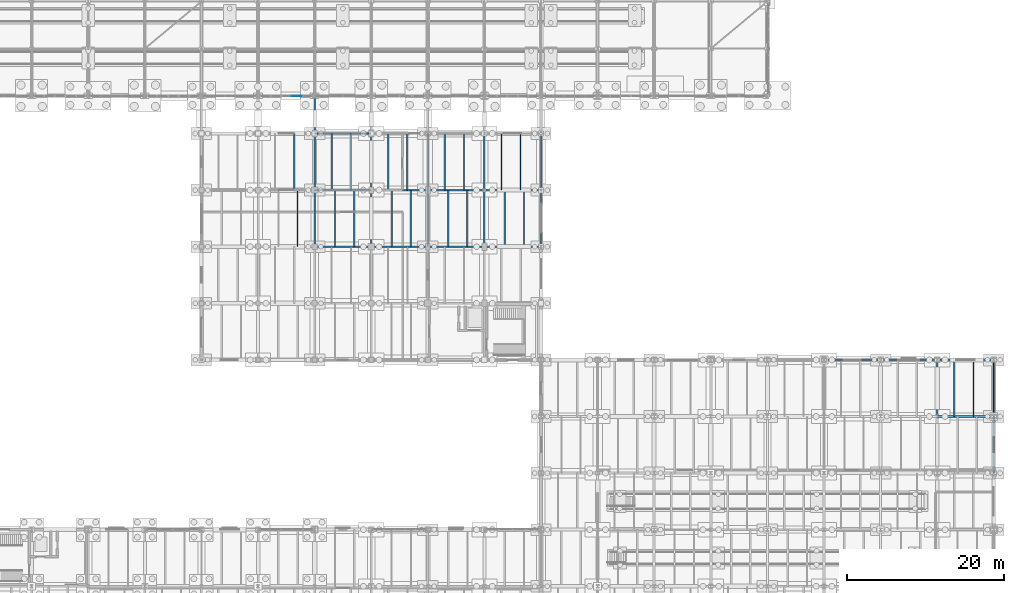
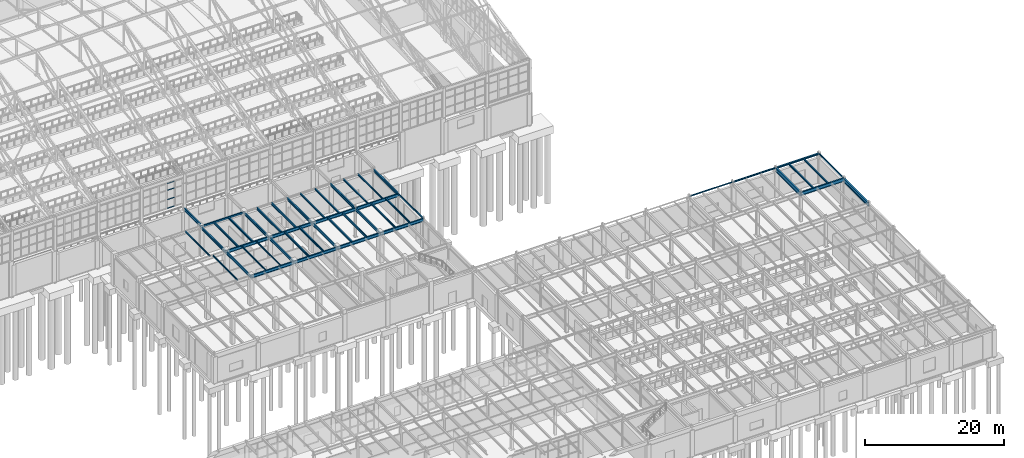
# One storey, part 164 of 293: 47 beams, 4 members, 1 element without a shape of its own.
"""IFC4 building model written with IfcOpenShell, lengths in metres."""

from ifc_helpers import new_model, si_unit, direction, frame, origin, origin_2d, place, context, subcontext, project, spatial, hollow_rectangle, i_section, extrude, material, layer, layer_set, material_profile, profile_set, type_object, element, aggregate, save


model = new_model("IFC4")

# Units and contexts
model_context = context("Model", 3, precision=1e-05, world=origin(), true_north=direction((0.0, 1.0)))
body_context = subcontext(model_context, "Body", "Model", "MODEL_VIEW")
ifc_project = project(units=[si_unit("LENGTHUNIT", "METRE"), si_unit("AREAUNIT", "SQUARE_METRE"), si_unit("VOLUMEUNIT", "CUBIC_METRE"), si_unit("PLANEANGLEUNIT", "RADIAN"), si_unit("MASSUNIT", "GRAM", prefix="KILO")], contexts=[model_context])

# Site, building, storey
site_placement = place(None, origin())
site = spatial("IfcSite", under=ifc_project, at=site_placement, CompositionType="ELEMENT")
building_placement = place(site_placement, origin())
building = spatial("IfcBuilding", under=site, at=building_placement, Name="Kemerveld Promenade Tramway Depot", CompositionType="ELEMENT")
storey_placement = place(building_placement, origin())
storey = spatial("IfcBuildingStorey", under=building, at=storey_placement, Name="L00", CompositionType="ELEMENT", Elevation=0.0)

# Beams
ifc_material_1 = material(Name="Steel S355", Category="steel")
ifc_material_profile_1 = material_profile(ifc_material_1, i_section(OverallWidth=0.25439453125, OverallDepth=0.6875, WebThickness=0.01318359375, FlangeThickness=0.02099609375, FilletRadius=0.01513671875, at=origin_2d()), Name="686x254x152 UB")
ifc_profile_set_1 = profile_set([ifc_material_profile_1], Name="Steel S355")
beam_type_1 = type_object("IfcBeamType", Name="BM-G03", PredefinedType="BEAM", material=ifc_profile_set_1)
for number, where, z_axis, x_axis, name in (
    (1, (208.800048828125, 43.199951171875, 4.7763671875), (0.0, 1.0, 0.0), (-1.0, 0.0, 0.0), "BMY-L00-30-G-H"),
    (2, (216.0, 36.0, 4.7763671875), (0.0, 1.0, 0.0), (-1.0, 0.0, 0.0), "BMY-L00-31-F-G"),
):
    element("IfcBeam", number, at=place(storey_placement, frame(where, z_axis=z_axis, x_axis=x_axis)), inside=storey, type_object=beam_type_1, Name=name, PredefinedType="BEAM", context=body_context, shape_type="SweptSolid", body=[
        extrude(i_section(OverallWidth=0.25439453125, OverallDepth=0.6875, WebThickness=0.01318359375, FlangeThickness=0.02099609375, FilletRadius=0.01513671875, at=origin_2d()), origin(), (0.0, 0.0, 1.0), 7.199951171875),
    ])
ifc_material_profile_2 = material_profile(ifc_material_1, i_section(OverallWidth=0.22900390625, OverallDepth=0.6123046875, WebThickness=0.011962890625, FlangeThickness=0.01953125, FilletRadius=0.0126953125, at=origin_2d()), Name="610x229x125 UB")
ifc_profile_set_2 = profile_set([ifc_material_profile_2], Name="Steel S355")
beam_type_2 = type_object("IfcBeamType", Name="BM-G04", PredefinedType="BEAM", material=ifc_profile_set_2)
beam_1_placement = place(storey_placement, frame((208.800048828125, 43.199951171875, 4.81396484375), z_axis=(1.0, 0.0, 0.0), x_axis=(0.0, 1.0, 0.0)))
element("IfcBeam", 3, at=beam_1_placement, inside=storey, type_object=beam_type_2, Name="BMX-L00-30-31-G", PredefinedType="BEAM", context=body_context, shape_type="SweptSolid", body=[
    extrude(i_section(OverallWidth=0.22900390625, OverallDepth=0.6123046875, WebThickness=0.011962890625, FlangeThickness=0.01953125, FilletRadius=0.0126953125, at=origin_2d()), origin(), (0.0, 0.0, 1.0), 7.199951171875),
])
ifc_material_profile_3 = material_profile(ifc_material_1, i_section(OverallWidth=0.2099609375, OverallDepth=0.53662109375, WebThickness=0.0107421875, FlangeThickness=0.017333984375, FilletRadius=0.0126953125, at=origin_2d()), Name="533x210x101 UB")
ifc_profile_set_3 = profile_set([ifc_material_profile_3], Name="Steel S355")
beam_type_3 = type_object("IfcBeamType", Name="BM-G05", PredefinedType="BEAM", material=ifc_profile_set_3)
for number, where, z_axis, x_axis, name in (
    (4, (129.60009765625, 64.800048828125, 4.811767578125), (1.0, 0.0, 0.0), (0.0, 1.0, 0.0), "BMX-L00-19-20-K"),
    (5, (136.800048828125, 64.800048828125, 4.811767578125), (1.0, 0.0, 0.0), (0.0, 1.0, 0.0), "BMX-L00-20-21-K"),
    (6, (144.0, 64.800048828125, 4.811767578125), (1.0, 0.0, 0.0), (0.0, 1.0, 0.0), "BMX-L00-21-22-K"),
    (7, (151.199951171875, 64.800048828125, 4.811767578125), (1.0, 0.0, 0.0), (0.0, 1.0, 0.0), "BMX-L00-22-23-K"),
    (8, (129.60009765625, 72.0, 4.811767578125), (1.0, 0.0, 0.0), (0.0, 1.0, 0.0), "BMX-L00-19-20-L"),
    (9, (136.800048828125, 72.0, 4.811767578125), (1.0, 0.0, 0.0), (0.0, 1.0, 0.0), "BMX-L00-20-21-L"),
    (10, (144.0, 72.0, 4.811767578125), (1.0, 0.0, 0.0), (0.0, 1.0, 0.0), "BMX-L00-21-22-L"),
    (11, (151.199951171875, 72.0, 4.811767578125), (1.0, 0.0, 0.0), (0.0, 1.0, 0.0), "BMX-L00-22-23-L"),
):
    element("IfcBeam", number, at=place(storey_placement, frame(where, z_axis=z_axis, x_axis=x_axis)), inside=storey, type_object=beam_type_3, Name=name, PredefinedType="BEAM", context=body_context, shape_type="SweptSolid", body=[
        extrude(i_section(OverallWidth=0.2099609375, OverallDepth=0.53662109375, WebThickness=0.0107421875, FlangeThickness=0.017333984375, FilletRadius=0.0126953125, at=origin_2d()), origin(), (0.0, 0.0, 1.0), 7.199951171875),
    ])
beam_2_placement = place(storey_placement, frame((129.60009765625, 79.199951171875, 5.131591796875), z_axis=(0.0, 1.0, 0.0), x_axis=(-1.0, 0.0, 0.0)))
element("IfcBeam", 12, at=beam_2_placement, inside=storey, type_object=beam_type_3, Name="BM-LINK-19-MN", PredefinedType="BEAM", context=body_context, shape_type="SweptSolid", body=[
    extrude(i_section(OverallWidth=0.2099609375, OverallDepth=0.53662109375, WebThickness=0.0107421875, FlangeThickness=0.017333984375, FilletRadius=0.0126953125, at=origin_2d()), origin(), (0.0, 0.0, 1.0), 4.800048828125),
])
ifc_material_profile_4 = material_profile(ifc_material_1, i_section(OverallWidth=0.19140625, OverallDepth=0.4599609375, WebThickness=0.010009765625, FlangeThickness=0.01611328125, FilletRadius=0.01025390625, at=origin_2d()), Name="457x191x82 UB")
ifc_profile_set_4 = profile_set([ifc_material_profile_4], Name="Steel S355")
beam_type_4 = type_object("IfcBeamType", Name="BM-G06", PredefinedType="BEAM", material=ifc_profile_set_4)
for number, where, z_axis, x_axis, name in (
    (13, (129.60009765625, 64.800048828125, 4.85009765625), (0.0, 1.0, 0.0), (-1.0, 0.0, 0.0), "BMY-L00-19-K-L"),
    (14, (129.60009765625, 72.0, 4.85009765625), (0.0, 1.0, 0.0), (-1.0, 0.0, 0.0), "BMY-L00-19-L-M"),
    (15, (136.800048828125, 64.800048828125, 4.85009765625), (0.0, 1.0, 0.0), (-1.0, 0.0, 0.0), "BMY-L00-20-K-L"),
    (16, (136.800048828125, 72.0, 4.85009765625), (0.0, 1.0, 0.0), (-1.0, 0.0, 0.0), "BMY-L00-20-L-M"),
    (17, (144.0, 64.800048828125, 4.85009765625), (0.0, 1.0, 0.0), (-1.0, 0.0, 0.0), "BMY-L00-21-K-L"),
    (18, (144.0, 72.0, 4.85009765625), (0.0, 1.0, 0.0), (-1.0, 0.0, 0.0), "BMY-L00-21-L-M"),
    (19, (151.199951171875, 64.800048828125, 4.85009765625), (0.0, 1.0, 0.0), (-1.0, 0.0, 0.0), "BMY-L00-22-K-L"),
    (20, (151.199951171875, 72.0, 4.85009765625), (0.0, 1.0, 0.0), (-1.0, 0.0, 0.0), "BMY-L00-22-L-M"),
    (21, (158.39990234375, 72.0, 4.85009765625), (0.0, 1.0, 0.0), (-1.0, 0.0, 0.0), "BMY-L00-23-L-M"),
):
    element("IfcBeam", number, at=place(storey_placement, frame(where, z_axis=z_axis, x_axis=x_axis)), inside=storey, type_object=beam_type_4, Name=name, PredefinedType="BEAM", context=body_context, shape_type="SweptSolid", body=[
        extrude(i_section(OverallWidth=0.19140625, OverallDepth=0.4599609375, WebThickness=0.010009765625, FlangeThickness=0.01611328125, FilletRadius=0.01025390625, at=origin_2d()), origin(), (0.0, 0.0, 1.0), 7.199951171875),
    ])
ifc_material_profile_5 = material_profile(ifc_material_1, i_section(OverallWidth=0.165771484375, OverallDepth=0.306640625, WebThickness=0.006591796875, FlangeThickness=0.01171875, FilletRadius=0.0087890625, at=origin_2d()), Name="305x165x46 UB")
ifc_profile_set_5 = profile_set([ifc_material_profile_5], Name="Steel S355")
beam_type_5 = type_object("IfcBeamType", Name="BM-J01", PredefinedType="JOIST", material=ifc_profile_set_5)
for number, where, z_axis, x_axis, name in (
    (22, (146.159912109375, 72.0, 4.9267578125), (0.0, 1.0, 0.0), (-1.0, 0.0, 0.0), "JST-L00-21-L-1"),
    (23, (148.60791015625, 72.0, 4.9267578125), (0.0, 1.0, 0.0), (-1.0, 0.0, 0.0), "JST-L00-21-L-2"),
    (24, (153.7919921875, 64.800048828125, 4.9267578125), (0.0, 1.0, 0.0), (-1.0, 0.0, 0.0), "JST-L00-22-K-1"),
    (25, (156.239990234375, 64.800048828125, 4.9267578125), (0.0, 1.0, 0.0), (-1.0, 0.0, 0.0), "JST-L00-22-K-2"),
    (26, (210.9599609375, 43.199951171875, 4.966796875), (0.0, 1.0, 0.0), (-1.0, 0.0, 0.0), "JST-L00-30-G-1"),
    (27, (213.407958984375, 43.199951171875, 4.966796875), (0.0, 1.0, 0.0), (-1.0, 0.0, 0.0), "JST-L00-30-G-2"),
):
    element("IfcBeam", number, at=place(storey_placement, frame(where, z_axis=z_axis, x_axis=x_axis)), inside=storey, type_object=beam_type_5, Name=name, PredefinedType="JOIST", context=body_context, shape_type="SweptSolid", body=[
        extrude(i_section(OverallWidth=0.165771484375, OverallDepth=0.306640625, WebThickness=0.006591796875, FlangeThickness=0.01171875, FilletRadius=0.0087890625, at=origin_2d()), origin(), (0.0, 0.0, 1.0), 7.199951171875),
    ])
ifc_material_profile_6 = material_profile(ifc_material_1, i_section(OverallWidth=0.146484375, OverallDepth=0.256103515625, WebThickness=0.00634765625, FlangeThickness=0.010986328125, FilletRadius=0.007568359375, at=origin_2d()), Name="254x146x37 UB")
ifc_profile_set_6 = profile_set([ifc_material_profile_6], Name="Steel S355")
beam_type_6 = type_object("IfcBeamType", Name="BM-J02", PredefinedType="JOIST", material=ifc_profile_set_6)
for number, where, z_axis, x_axis, name in (
    (28, (127.43994140625, 64.800048828125, 4.951904296875), (0.0, 1.0, 0.0), (-1.0, 0.0, 0.0), "JST-L00-18-K-2"),
    (29, (153.360107421875, 72.0, 4.951904296875), (0.0, 1.0, 0.0), (-1.0, 0.0, 0.0), "JST-L00-22-L-1"),
    (30, (155.80810546875, 72.0, 4.951904296875), (0.0, 1.0, 0.0), (-1.0, 0.0, 0.0), "JST-L00-22-L-2"),
):
    element("IfcBeam", number, at=place(storey_placement, frame(where, z_axis=z_axis, x_axis=x_axis)), inside=storey, type_object=beam_type_6, Name=name, PredefinedType="JOIST", context=body_context, shape_type="SweptSolid", body=[
        extrude(i_section(OverallWidth=0.146484375, OverallDepth=0.256103515625, WebThickness=0.00634765625, FlangeThickness=0.010986328125, FilletRadius=0.007568359375, at=origin_2d()), origin(), (0.0, 0.0, 1.0), 7.199951171875),
    ])
ifc_material_profile_7 = material_profile(ifc_material_1, i_section(OverallWidth=0.13330078125, OverallDepth=0.203125, WebThickness=0.005615234375, FlangeThickness=0.0078125, FilletRadius=0.007568359375, at=origin_2d()), Name="203x133x25 UB")
ifc_profile_set_7 = profile_set([ifc_material_profile_7], Name="Steel S355")
beam_type_7 = type_object("IfcBeamType", Name="BM-J03", PredefinedType="JOIST", material=ifc_profile_set_7)
for number, where, z_axis, x_axis, name in (
    (31, (127.008056640625, 72.0, 4.978515625), (0.0, 1.0, 0.0), (-1.0, 0.0, 0.0), "JST-L00-18-L-2"),
    (32, (132.19189453125, 64.800048828125, 4.978515625), (0.0, 1.0, 0.0), (-1.0, 0.0, 0.0), "JST-L00-19-K-1"),
    (33, (134.639892578125, 64.800048828125, 4.978515625), (0.0, 1.0, 0.0), (-1.0, 0.0, 0.0), "JST-L00-19-K-2"),
):
    element("IfcBeam", number, at=place(storey_placement, frame(where, z_axis=z_axis, x_axis=x_axis)), inside=storey, type_object=beam_type_7, Name=name, PredefinedType="JOIST", context=body_context, shape_type="SweptSolid", body=[
        extrude(i_section(OverallWidth=0.13330078125, OverallDepth=0.203125, WebThickness=0.005615234375, FlangeThickness=0.0078125, FilletRadius=0.007568359375, at=origin_2d()), origin(), (0.0, 0.0, 1.0), 7.199951171875),
    ])
ifc_material_profile_8 = material_profile(ifc_material_1, i_section(OverallWidth=0.172119140625, OverallDepth=0.35791015625, WebThickness=0.008056640625, FlangeThickness=0.012939453125, FilletRadius=0.01025390625, at=origin_2d()), Name="356x171x57 UB")
ifc_profile_set_8 = profile_set([ifc_material_profile_8], Name="Steel S355")
beam_type_8 = type_object("IfcBeamType", Name="BM-J04", PredefinedType="JOIST", material=ifc_profile_set_8)
for number, where, z_axis, x_axis, name in (
    (34, (131.760009765625, 72.0, 4.90087890625), (0.0, 1.0, 0.0), (-1.0, 0.0, 0.0), "JST-L00-19-L-1"),
    (35, (134.2080078125, 72.0, 4.90087890625), (0.0, 1.0, 0.0), (-1.0, 0.0, 0.0), "JST-L00-19-L-2"),
    (36, (139.39208984375, 64.800048828125, 4.90087890625), (0.0, 1.0, 0.0), (-1.0, 0.0, 0.0), "JST-L00-20-K-1"),
    (37, (141.840087890625, 64.800048828125, 4.90087890625), (0.0, 1.0, 0.0), (-1.0, 0.0, 0.0), "JST-L00-20-K-2"),
):
    element("IfcBeam", number, at=place(storey_placement, frame(where, z_axis=z_axis, x_axis=x_axis)), inside=storey, type_object=beam_type_8, Name=name, PredefinedType="JOIST", context=body_context, shape_type="SweptSolid", body=[
        extrude(i_section(OverallWidth=0.172119140625, OverallDepth=0.35791015625, WebThickness=0.008056640625, FlangeThickness=0.012939453125, FilletRadius=0.01025390625, at=origin_2d()), origin(), (0.0, 0.0, 1.0), 7.199951171875),
    ])
ifc_material_profile_9 = material_profile(ifc_material_1, i_section(OverallWidth=0.1787109375, OverallDepth=0.409423828125, WebThickness=0.0087890625, FlangeThickness=0.014404296875, FilletRadius=0.01025390625, at=origin_2d()), Name="406x178x67 UB")
ifc_profile_set_9 = profile_set([ifc_material_profile_9], Name="Steel S355")
beam_type_9 = type_object("IfcBeamType", Name="BM-J05", PredefinedType="JOIST", material=ifc_profile_set_9)
for number, where, z_axis, x_axis, name in (
    (38, (138.9599609375, 72.0, 4.875244140625), (0.0, 1.0, 0.0), (-1.0, 0.0, 0.0), "JST-L00-20-L-1"),
    (39, (141.407958984375, 72.0, 4.875244140625), (0.0, 1.0, 0.0), (-1.0, 0.0, 0.0), "JST-L00-20-L-2"),
    (40, (146.592041015625, 64.800048828125, 4.875244140625), (0.0, 1.0, 0.0), (-1.0, 0.0, 0.0), "JST-L00-21-K-1"),
    (41, (149.0400390625, 64.800048828125, 4.875244140625), (0.0, 1.0, 0.0), (-1.0, 0.0, 0.0), "JST-L00-21-K-2"),
):
    element("IfcBeam", number, at=place(storey_placement, frame(where, z_axis=z_axis, x_axis=x_axis)), inside=storey, type_object=beam_type_9, Name=name, PredefinedType="JOIST", context=body_context, shape_type="SweptSolid", body=[
        extrude(i_section(OverallWidth=0.1787109375, OverallDepth=0.409423828125, WebThickness=0.0087890625, FlangeThickness=0.014404296875, FilletRadius=0.01025390625, at=origin_2d()), origin(), (0.0, 0.0, 1.0), 7.199951171875),
    ])
ifc_material_profile_10 = material_profile(ifc_material_1, i_section(OverallWidth=0.154296875, OverallDepth=0.161865234375, WebThickness=0.008056640625, FlangeThickness=0.011474609375, FilletRadius=0.007568359375, at=origin_2d()), Name="152x152x37 UC")
ifc_profile_set_10 = profile_set([ifc_material_profile_10], Name="Steel S355")
beam_type_10 = type_object("IfcBeamType", Name="BM-LN2", PredefinedType="LINTEL", material=ifc_profile_set_10)
beam_3_placement = place(storey_placement, frame((194.39990234375, 50.39990234375, 5.0390625), z_axis=(1.0, 0.0, 0.0), x_axis=(0.0, 1.0, 0.0)))
element("IfcBeam", 42, at=beam_3_placement, inside=storey, type_object=beam_type_10, Name="BMX-L00-28-29-H", PredefinedType="LINTEL", context=body_context, shape_type="SweptSolid", body=[
    extrude(i_section(OverallWidth=0.154296875, OverallDepth=0.161865234375, WebThickness=0.008056640625, FlangeThickness=0.011474609375, FilletRadius=0.007568359375, at=origin_2d()), origin(), (0.0, 0.0, 1.0), 7.2001953125),
])
ifc_material_profile_11 = material_profile(ifc_material_1, i_section(OverallWidth=0.205810546875, OverallDepth=0.209716796875, WebThickness=0.009521484375, FlangeThickness=0.01416015625, FilletRadius=0.01025390625, at=origin_2d()), Name="203x203x60 UC")
ifc_profile_set_11 = profile_set([ifc_material_profile_11], Name="Steel S355")
beam_type_11 = type_object("IfcBeamType", Name="BM-LN3", PredefinedType="LINTEL", material=ifc_profile_set_11)
beam_4_placement = place(storey_placement, frame((201.60009765625, 50.39990234375, 5.01513671875), z_axis=(1.0, 0.0, 0.0), x_axis=(0.0, 1.0, 0.0)))
element("IfcBeam", 43, at=beam_4_placement, inside=storey, type_object=beam_type_11, Name="BMX-L00-29-30-H", PredefinedType="LINTEL", context=body_context, shape_type="SweptSolid", body=[
    extrude(i_section(OverallWidth=0.205810546875, OverallDepth=0.209716796875, WebThickness=0.009521484375, FlangeThickness=0.01416015625, FilletRadius=0.01025390625, at=origin_2d()), origin(), (0.0, 0.0, 1.0), 7.199951171875),
])
ifc_material_profile_12 = material_profile(ifc_material_1, i_section(OverallWidth=0.25634765625, OverallDepth=0.26025390625, WebThickness=0.01025390625, FlangeThickness=0.017333984375, FilletRadius=0.0126953125, at=origin_2d()), Name="254x254x89 UC")
ifc_profile_set_12 = profile_set([ifc_material_profile_12], Name="Steel S355")
beam_type_12 = type_object("IfcBeamType", Name="BM-LN4", PredefinedType="LINTEL", material=ifc_profile_set_12)
beam_5_placement = place(storey_placement, frame((208.800048828125, 50.39990234375, 4.989990234375), z_axis=(1.0, 0.0, 0.0), x_axis=(0.0, 1.0, 0.0)))
element("IfcBeam", 44, at=beam_5_placement, inside=storey, type_object=beam_type_12, Name="BMX-L00-30-31-H", PredefinedType="LINTEL", context=body_context, shape_type="SweptSolid", body=[
    extrude(i_section(OverallWidth=0.25634765625, OverallDepth=0.26025390625, WebThickness=0.01025390625, FlangeThickness=0.017333984375, FilletRadius=0.0126953125, at=origin_2d()), origin(), (0.0, 0.0, 1.0), 7.199951171875),
])
ifc_material_profile_13 = material_profile(ifc_material_1, hollow_rectangle(XDim=0.199951171875, YDim=0.300048828125, WallThickness=0.012451171875, InnerFilletRadius=0.00634765625, OuterFilletRadius=0.018798828125, at=origin_2d()), Name="300x200x12.5 RHS")
ifc_profile_set_13 = profile_set([ifc_material_profile_13], Name="Steel S355")
beam_type_13 = type_object("IfcBeamType", Name="BM-SP1", PredefinedType="SPANDREL", material=ifc_profile_set_13)
beam_6_placement = place(storey_placement, frame((129.60009765625, 79.199951171875, 4.929931640625), z_axis=(1.0, 0.0, 0.0), x_axis=(0.0, 1.0, 0.0)))
element("IfcBeam", 45, at=beam_6_placement, inside=storey, type_object=beam_type_13, Name="BMX-L00-19-20-M", PredefinedType="SPANDREL", context=body_context, shape_type="SweptSolid", body=[
    extrude(hollow_rectangle(XDim=0.199951171875, YDim=0.300048828125, WallThickness=0.012451171875, InnerFilletRadius=0.00634765625, OuterFilletRadius=0.018798828125, at=origin_2d()), origin(), (0.0, 0.0, 1.0), 7.199951171875),
])
ifc_material_profile_14 = material_profile(ifc_material_1, hollow_rectangle(XDim=0.14990234375, YDim=0.25, WallThickness=0.010009765625, InnerFilletRadius=0.0048828125, OuterFilletRadius=0.014892578125, at=origin_2d()), Name="250x150x10.0 RHS")
ifc_profile_set_14 = profile_set([ifc_material_profile_14], Name="Steel S355")
beam_type_14 = type_object("IfcBeamType", Name="BM-SP2", PredefinedType="SPANDREL", material=ifc_profile_set_14)
for number, where, z_axis, x_axis, name in (
    (46, (158.39990234375, 64.800048828125, 4.955078125), (0.0, 1.0, 0.0), (-1.0, 0.0, 0.0), "BMY-L00-23-K-L"),
    (47, (216.0, 43.199951171875, 4.9951171875), (0.0, 1.0, 0.0), (-1.0, 0.0, 0.0), "BMY-L00-31-G-H"),
):
    element("IfcBeam", number, at=place(storey_placement, frame(where, z_axis=z_axis, x_axis=x_axis)), inside=storey, type_object=beam_type_14, Name=name, PredefinedType="SPANDREL", context=body_context, shape_type="SweptSolid", body=[
        extrude(hollow_rectangle(XDim=0.14990234375, YDim=0.25, WallThickness=0.010009765625, InnerFilletRadius=0.0048828125, OuterFilletRadius=0.014892578125, at=origin_2d()), origin(), (0.0, 0.0, 1.0), 7.199951171875),
    ])

# Curtain wall, members
ifc_material_2 = material(Name="Bronze anodised aluminium and solar glass", Category="aluminium")
ifc_layer = layer(ifc_material_2, 0.199951171875)
ifc_layer_set = layer_set([ifc_layer], Name="CW-SYS-02")
curtain_wall_type = type_object("IfcCurtainWallType", Name="CW-SYS-02", PredefinedType="USERDEFINED", material=ifc_layer_set)
curtain_wall_placement = place(storey_placement, origin())
curtain_wall = element("IfcCurtainWall", 48, at=curtain_wall_placement, inside=storey, type_object=curtain_wall_type, Name="CW-V1-S-13", ObjectType="GLAZED_CURTAIN_WALL", PredefinedType="USERDEFINED")
ifc_material_3 = material(Name="Bronze anodised aluminium", Category="aluminium")
ifc_material_profile_15 = material_profile(ifc_material_3, hollow_rectangle(XDim=0.06494140625, YDim=0.14990234375, WallThickness=0.00439453125, InnerFilletRadius=0.001953125, OuterFilletRadius=0.00439453125, at=origin_2d()), Name="CW-TRN-150x65")
ifc_profile_set_15 = profile_set([ifc_material_profile_15], Name="Bronze anodised aluminium")
member_type = type_object("IfcMemberType", Name="CW-TRN-B", PredefinedType="USERDEFINED", material=ifc_profile_set_15)
member_1_placement = place(storey_placement, frame((127.988525390625, 84.0, 6.232421875), z_axis=(-1.0, 0.0, 0.0), x_axis=(0.0, -1.0, 0.0)))
member_1 = element("IfcMember", 49, at=member_1_placement, type_object=member_type, Name="CW02 transom 2.1", ObjectType="TRANSOM", PredefinedType="USERDEFINED", context=body_context, shape_type="SweptSolid", body=[
    extrude(hollow_rectangle(XDim=0.06494140625, YDim=0.14990234375, WallThickness=0.00439453125, InnerFilletRadius=0.001953125, OuterFilletRadius=0.00439453125, at=origin_2d()), origin(), (0.0, 0.0, 1.0), 1.275634765625),
])
member_2_placement = place(storey_placement, frame((127.988525390625, 84.0, 7.758056640625), z_axis=(-1.0, 0.0, 0.0), x_axis=(0.0, -1.0, 0.0)))
member_2 = element("IfcMember", 50, at=member_2_placement, type_object=member_type, Name="CW02 transom 2.2", ObjectType="TRANSOM", PredefinedType="USERDEFINED", context=body_context, shape_type="SweptSolid", body=[
    extrude(hollow_rectangle(XDim=0.06494140625, YDim=0.14990234375, WallThickness=0.00439453125, InnerFilletRadius=0.001953125, OuterFilletRadius=0.00439453125, at=origin_2d()), origin(), (0.0, 0.0, 1.0), 1.275634765625),
])
member_3_placement = place(storey_placement, frame((127.988525390625, 84.0, 9.404052734375), z_axis=(-1.0, 0.0, 0.0), x_axis=(0.0, -1.0, 0.0)))
member_3 = element("IfcMember", 51, at=member_3_placement, type_object=member_type, Name="CW02 transom 2.3", ObjectType="TRANSOM", PredefinedType="USERDEFINED", context=body_context, shape_type="SweptSolid", body=[
    extrude(hollow_rectangle(XDim=0.06494140625, YDim=0.14990234375, WallThickness=0.00439453125, InnerFilletRadius=0.001953125, OuterFilletRadius=0.00439453125, at=origin_2d()), origin(), (0.0, 0.0, 1.0), 1.275634765625),
])
member_4_placement = place(storey_placement, frame((127.988525390625, 84.0, 10.617431640625), z_axis=(-1.0, 0.0, 0.0), x_axis=(0.0, -1.0, 0.0)))
member_4 = element("IfcMember", 52, at=member_4_placement, type_object=member_type, Name="CW02 transom 2.4", ObjectType="TRANSOM", PredefinedType="USERDEFINED", context=body_context, shape_type="SweptSolid", body=[
    extrude(hollow_rectangle(XDim=0.06494140625, YDim=0.14990234375, WallThickness=0.00439453125, InnerFilletRadius=0.001953125, OuterFilletRadius=0.00439453125, at=origin_2d()), origin(), (0.0, 0.0, 1.0), 1.275634765625),
])
aggregate(curtain_wall, [member_1, member_2, member_3, member_4])

save(model, "model.ifc")
